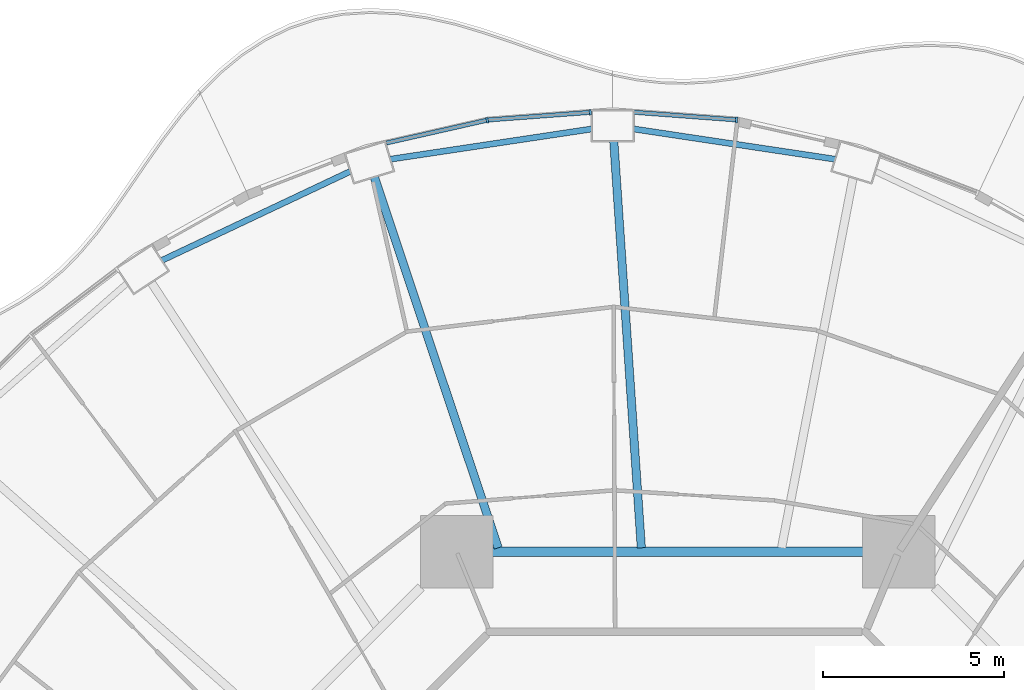
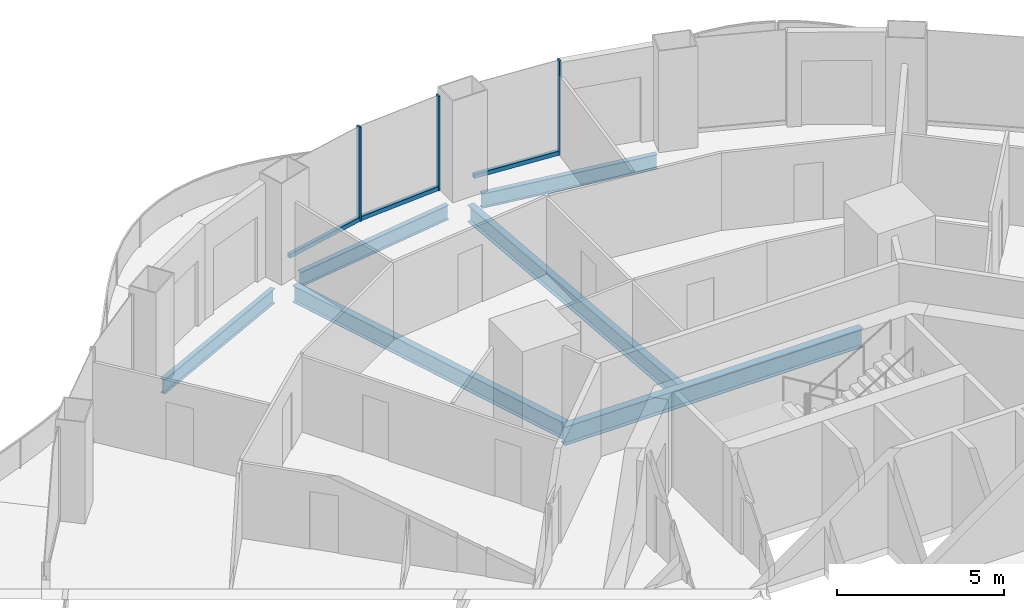
# One storey, part 7 of 19: 6 beams, 6 members, 3 elements without a shape of their own.
"""IFC4 building model written with IfcOpenShell, lengths in metres."""

from ifc_helpers import new_model, si_unit, direction, frame, origin, origin_2d, place, context, subcontext, project, spatial, rectangle, i_section, extrude, material, layer, layer_set, material_profile, profile_set, type_object, element, aggregate, save


model = new_model("IFC4")

# Units and contexts
model_context = context("Model", 3, precision=1e-05, world=origin(), true_north=direction((0.0, 1.0)))
body_context = subcontext(model_context, "Body", "Model", "MODEL_VIEW")
ifc_project = project(units=[si_unit("LENGTHUNIT", "METRE"), si_unit("AREAUNIT", "SQUARE_METRE"), si_unit("VOLUMEUNIT", "CUBIC_METRE"), si_unit("PLANEANGLEUNIT", "RADIAN"), si_unit("MASSUNIT", "GRAM", prefix="KILO")], contexts=[model_context])

# Site, building, storey
site_placement = place(None, origin())
site = spatial("IfcSite", under=ifc_project, at=site_placement, CompositionType="ELEMENT")
building_placement = place(site_placement, origin())
building = spatial("IfcBuilding", under=site, at=building_placement, Name="Nagisa Residences", CompositionType="ELEMENT")
storey_placement = place(building_placement, frame((0.0, 0.0, 127.0)))
storey = spatial("IfcBuildingStorey", under=building, at=storey_placement, Name="L31", CompositionType="ELEMENT", Elevation=127.0)

# Curtain wall, member
ifc_material_1 = material(Name="Concrete-coloured aluminium curtain wall system", Category="concrete")
ifc_layer = layer(ifc_material_1, 0.159912109375)
ifc_layer_set = layer_set([ifc_layer], Name="CW1 CURTAIN WALL")
curtain_wall_type = type_object("IfcCurtainWallType", Name="CW1 CURTAIN WALL", PredefinedType="NOTDEFINED", material=ifc_layer_set)
curtain_wall_1_placement = place(storey_placement, origin())
curtain_wall_1 = element("IfcCurtainWall", 1, at=curtain_wall_1_placement, inside=storey, type_object=curtain_wall_type, Name="cw:CW1:L31:11", PredefinedType="NOTDEFINED")
ifc_material_2 = material(Name="Concrete-coloured aluminium", Category="concrete")
ifc_material_profile_1 = material_profile(ifc_material_2, rectangle(XDim=0.159912109375, YDim=0.06005859375, at=origin_2d()), Name="CW1 MULLION 160x60")
ifc_profile_set_1 = profile_set([ifc_material_profile_1], Name="Concrete-coloured aluminium")
member_type_1 = type_object("IfcMemberType", Name="CW1 MULLION 160x60", PredefinedType="MULLION", material=ifc_profile_set_1)
member_1_placement = place(storey_placement, frame((1.627685546875, 26.741455078125, 0.0), z_axis=(0.0, 0.0, 1.0), x_axis=(-0.074377355493, -0.997230168512, 0.0)))
member_1 = element("IfcMember", 2, at=member_1_placement, type_object=member_type_1, Name="CW1 mullion", PredefinedType="MULLION", context=body_context, shape_type="SweptSolid", body=[
    extrude(rectangle(XDim=0.159912109375, YDim=0.06005859375, at=origin_2d()), origin(), (0.0, 0.0, 1.0), 3.43994140625),
])

curtain_wall_2_placement = place(storey_placement, origin())
curtain_wall_2 = element("IfcCurtainWall", 3, at=curtain_wall_2_placement, inside=storey, type_object=curtain_wall_type, Name="cw:CW1:L31:12", PredefinedType="NOTDEFINED")
member_2_placement = place(storey_placement, frame((-2.42236328125, 26.95068359375, 0.0), z_axis=(0.0, 0.0, 1.0), x_axis=(0.074377355493, -0.997230168512, 0.0)))
member_2 = element("IfcMember", 4, at=member_2_placement, type_object=member_type_1, Name="CW1 mullion", PredefinedType="MULLION", context=body_context, shape_type="SweptSolid", body=[
    extrude(rectangle(XDim=0.159912109375, YDim=0.06005859375, at=origin_2d()), origin(), (0.0, 0.0, 1.0), 3.43994140625),
])

curtain_wall_3_placement = place(storey_placement, origin())
curtain_wall_3 = element("IfcCurtainWall", 5, at=curtain_wall_3_placement, inside=storey, type_object=curtain_wall_type, Name="cw:CW1:L31:13", PredefinedType="NOTDEFINED")
member_3_placement = place(storey_placement, frame((-5.275146484375, 26.734375, 0.0), z_axis=(0.0, 0.0, 1.0), x_axis=(0.2207639201, -0.975327274089, 0.0)))
member_3 = element("IfcMember", 6, at=member_3_placement, type_object=member_type_1, Name="CW1 mullion", PredefinedType="MULLION", context=body_context, shape_type="SweptSolid", body=[
    extrude(rectangle(XDim=0.159912109375, YDim=0.06005859375, at=origin_2d()), origin(), (0.0, 0.0, 1.0), 3.43994140625),
])

# Member
ifc_material_3 = material(Name="Concrete-coloured aluminium", Category="concrete")
ifc_material_profile_2 = material_profile(ifc_material_3, rectangle(XDim=0.1201171875, YDim=0.14990234375, at=origin_2d()), Name="CW1 TRANSOM 120x150")
ifc_profile_set_2 = profile_set([ifc_material_profile_2], Name="Concrete-coloured aluminium")
member_type_2 = type_object("IfcMemberType", Name="CW1 TRANSOM 120x150", PredefinedType="USERDEFINED", material=ifc_profile_set_2)
member_4_placement = place(storey_placement, frame((1.657470703125, 26.7392578125, 0.074951171875), z_axis=(-0.997231697044, 0.074356858535, 0.0), x_axis=(-0.074356858535, -0.997231697044, 0.0)))
member_4 = element("IfcMember", 7, at=member_4_placement, type_object=member_type_2, Name="CW1 transom", ObjectType="TRANSOM", PredefinedType="USERDEFINED", context=body_context, shape_type="SweptSolid", body=[
    extrude(rectangle(XDim=0.1201171875, YDim=0.14990234375, at=origin_2d()), origin(), (0.0, 0.0, 1.0), 2.873046875),
])

aggregate(curtain_wall_1, [member_1, member_4])

member_5_placement = place(storey_placement, frame((-2.392333984375, 26.952880859375, 0.074951171875), z_axis=(-0.997232166829, -0.074350557769, 0.0), x_axis=(0.074350557769, -0.997232166829, 0.0)))
member_5 = element("IfcMember", 8, at=member_5_placement, type_object=member_type_2, Name="CW1 transom", ObjectType="TRANSOM", PredefinedType="USERDEFINED", context=body_context, shape_type="SweptSolid", body=[
    extrude(rectangle(XDim=0.1201171875, YDim=0.14990234375, at=origin_2d()), origin(), (0.0, 0.0, 1.0), 2.873291015625),
])

aggregate(curtain_wall_2, [member_2, member_5])

member_6_placement = place(storey_placement, frame((-5.245849609375, 26.740966796875, 0.074951171875), z_axis=(-0.975320849653, -0.220792301117, 0.0), x_axis=(0.220792301117, -0.975320849653, 0.0)))
member_6 = element("IfcMember", 9, at=member_6_placement, type_object=member_type_2, Name="CW1 transom", ObjectType="TRANSOM", PredefinedType="USERDEFINED", context=body_context, shape_type="SweptSolid", body=[
    extrude(rectangle(XDim=0.1201171875, YDim=0.14990234375, at=origin_2d()), origin(), (0.0, 0.0, 1.0), 2.890380859375),
])

aggregate(curtain_wall_3, [member_3, member_6])

# Beams
ifc_material_4 = material(Name="Steel ASTM A572 Gr 50", Category="steel")
ifc_material_profile_3 = material_profile(ifc_material_4, i_section(OverallWidth=0.25390625, OverallDepth=0.68408203125, WebThickness=0.012451171875, FlangeThickness=0.018798828125, at=origin_2d()), Name="W690x140")
ifc_profile_set_3 = profile_set([ifc_material_profile_3], Name="Steel ASTM A572 Gr 50")
beam_type_1 = type_object("IfcBeamType", Name="Inner ring beam W690x140", PredefinedType="BEAM", material=ifc_profile_set_3)
beam_1_placement = place(storey_placement, frame((5.142822265625, 14.781982421875, -0.60205078125), z_axis=(-1.0, 0.0, 0.0), x_axis=(0.0, -1.0, 0.0)))
element("IfcBeam", 10, at=beam_1_placement, inside=storey, type_object=beam_type_1, Name="beam:L31:ib2", PredefinedType="BEAM", context=body_context, shape_type="SweptSolid", body=[
    extrude(i_section(OverallWidth=0.25390625, OverallDepth=0.68408203125, WebThickness=0.012451171875, FlangeThickness=0.018798828125, at=origin_2d()), origin(), (0.0, 0.0, 1.0), 10.28564453125),
])
ifc_material_5 = material(Name="Steel ASTM A572 Gr 50", Category="steel")
ifc_material_profile_4 = material_profile(ifc_material_5, i_section(OverallWidth=0.166015625, OverallDepth=0.534912109375, WebThickness=0.01025390625, FlangeThickness=0.0166015625, at=origin_2d()), Name="W530x85")
ifc_profile_set_4 = profile_set([ifc_material_profile_4], Name="Steel ASTM A572 Gr 50")
beam_type_2 = type_object("IfcBeamType", Name="Perimeter ring beam W530x85", PredefinedType="BEAM", material=ifc_profile_set_4)
for number, where, z_axis, x_axis, name in (
    (11, (4.3583984375, 25.652587890625, -0.527587890625), (-0.9889122118, 0.148501304214, 0.0), (-0.148501304214, -0.9889122118, 0.0), "beam:L31:pb06"),
    (12, (-2.380126953125, 26.490234375, -0.527587890625), (-0.9889122118, -0.148501304214, 0.0), (0.148501304214, -0.9889122118, 0.0), "beam:L31:pb07"),
):
    element("IfcBeam", number, at=place(storey_placement, frame(where, z_axis=z_axis, x_axis=x_axis)), inside=storey, type_object=beam_type_2, Name=name, PredefinedType="BEAM", context=body_context, shape_type="SweptSolid", body=[
        extrude(i_section(OverallWidth=0.166015625, OverallDepth=0.534912109375, WebThickness=0.01025390625, FlangeThickness=0.0166015625, at=origin_2d()), origin(), (0.0, 0.0, 1.0), 5.640625),
    ])
beam_2_placement = place(storey_placement, frame((-9.068603515625, 25.31494140625, -0.527587890625), z_axis=(-0.904169699539, -0.427173447719, 0.0), x_axis=(0.427173447719, -0.904169699539, 0.0)))
element("IfcBeam", 13, at=beam_2_placement, inside=storey, type_object=beam_type_2, Name="beam:L31:pb08", PredefinedType="BEAM", context=body_context, shape_type="SweptSolid", body=[
    extrude(i_section(OverallWidth=0.166015625, OverallDepth=0.534912109375, WebThickness=0.01025390625, FlangeThickness=0.0166015625, at=origin_2d()), origin(), (0.0, 0.0, 1.0), 5.7724609375),
])
ifc_material_6 = material(Name="Steel ASTM A572 Gr 50", Category="steel")
ifc_material_profile_5 = material_profile(ifc_material_6, i_section(OverallWidth=0.22900390625, OverallDepth=0.612060546875, WebThickness=0.011962890625, FlangeThickness=0.01953125, at=origin_2d()), Name="W610x125")
ifc_profile_set_5 = profile_set([ifc_material_profile_5], Name="Steel ASTM A572 Gr 50")
beam_type_3 = type_object("IfcBeamType", Name="Radial beam W610x125", PredefinedType="BEAM", material=ifc_profile_set_5)
beam_3_placement = place(storey_placement, frame((-1.77099609375, 26.147216796875, -0.56591796875), z_axis=(0.067591690418, -0.997713066661, 0.0), x_axis=(0.997713066661, 0.067591690418, 0.0)))
element("IfcBeam", 14, at=beam_3_placement, inside=storey, type_object=beam_type_3, Name="beam:L31:rb07", PredefinedType="BEAM", context=body_context, shape_type="SweptSolid", body=[
    extrude(i_section(OverallWidth=0.22900390625, OverallDepth=0.612060546875, WebThickness=0.011962890625, FlangeThickness=0.01953125, at=origin_2d()), origin(), (0.0, 0.0, 1.0), 11.283935546875),
])
beam_4_placement = place(storey_placement, frame((-8.402099609375, 25.157470703125, -0.56591796875), z_axis=(0.316789297789, -0.948495936104, 0.0), x_axis=(0.948495936104, 0.316789297789, 0.0)))
element("IfcBeam", 15, at=beam_4_placement, inside=storey, type_object=beam_type_3, Name="beam:L31:rb08", PredefinedType="BEAM", context=body_context, shape_type="SweptSolid", body=[
    extrude(i_section(OverallWidth=0.22900390625, OverallDepth=0.612060546875, WebThickness=0.011962890625, FlangeThickness=0.01953125, at=origin_2d()), origin(), (0.0, 0.0, 1.0), 10.824951171875),
])

save(model, "model.ifc")
